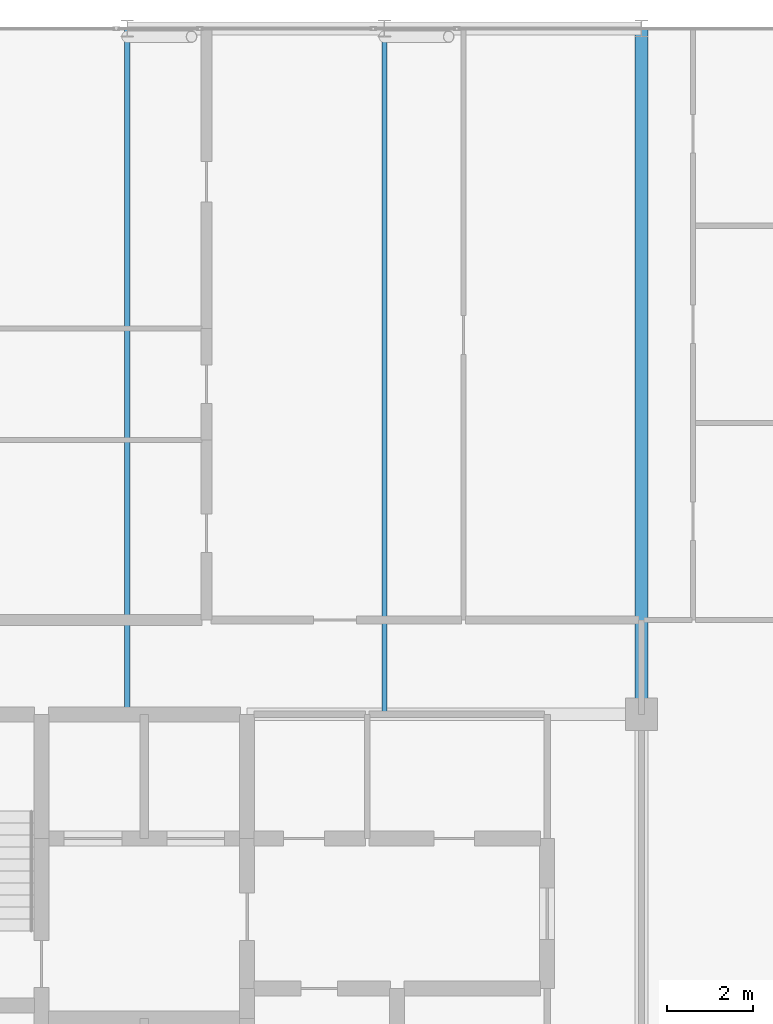
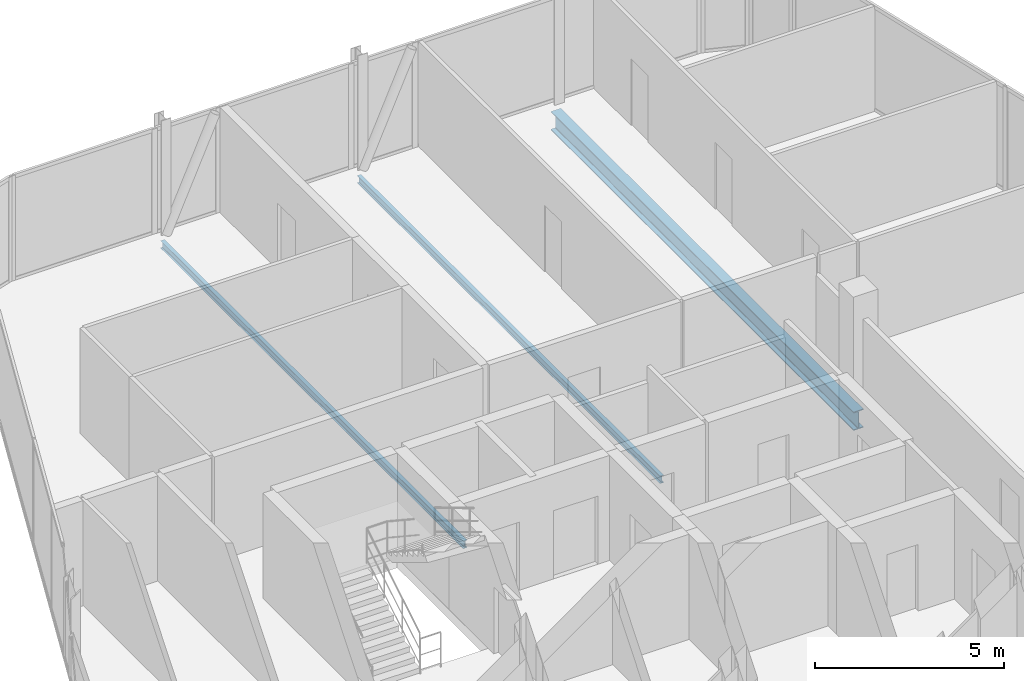
# One storey, part 16 of 27: 3 beams.
"""IFC4 building model written with IfcOpenShell, lengths in metres."""

from ifc_helpers import new_model, si_unit, direction, frame, origin, origin_2d, place, context, subcontext, project, spatial, i_section, extrude, material, material_profile, profile_set, type_object, element, save


model = new_model("IFC4")

# Units and contexts
model_context = context("Model", 3, precision=1e-05, world=origin(), true_north=direction((0.0, 1.0)))
body_context = subcontext(model_context, "Body", "Model", "MODEL_VIEW")
ifc_project = project(units=[si_unit("LENGTHUNIT", "METRE"), si_unit("AREAUNIT", "SQUARE_METRE"), si_unit("VOLUMEUNIT", "CUBIC_METRE"), si_unit("PLANEANGLEUNIT", "RADIAN"), si_unit("MASSUNIT", "GRAM", prefix="KILO")], contexts=[model_context])

# Site, building, storey
site_placement = place(None, origin())
site = spatial("IfcSite", under=ifc_project, at=site_placement, CompositionType="ELEMENT")
building_placement = place(site_placement, origin())
building = spatial("IfcBuilding", under=site, at=building_placement, Name="Keshet Zoharim Tower", CompositionType="ELEMENT")
storey_placement = place(building_placement, frame((0.0, 0.0, 254.699951171875)))
storey = spatial("IfcBuildingStorey", under=building, at=storey_placement, Name="L63", CompositionType="ELEMENT", Elevation=254.699951171875)

# Beams
ifc_material = material(Name="Steel S355", Category="steel")
ifc_material_profile_1 = material_profile(ifc_material, i_section(OverallWidth=0.1201171875, OverallDepth=0.239990234375, WebThickness=0.006103515625, FlangeThickness=0.009765625, FilletRadius=0.014892578125, at=origin_2d()), Name="IPE240")
ifc_profile_set_1 = profile_set([ifc_material_profile_1], Name="Steel S355")
beam_type_1 = type_object("IfcBeamType", Name="BM-JST-IP240", PredefinedType="JOIST", material=ifc_profile_set_1)
for number, where, z_axis, x_axis, name in (
    (1, (21.0, 37.89990234375, -0.429931640625), (0.0, 1.0, 0.0), (-1.0, 0.0, 0.0), "L63 Secondary Floor Joist J-001"),
    (2, (27.0, 37.89990234375, -0.429931640625), (0.0, 1.0, 0.0), (-1.0, 0.0, 0.0), "L63 Secondary Floor Joist J-002"),
):
    element("IfcBeam", number, at=place(storey_placement, frame(where, z_axis=z_axis, x_axis=x_axis)), inside=storey, type_object=beam_type_1, Name=name, PredefinedType="JOIST", context=body_context, shape_type="SweptSolid", body=[
        extrude(i_section(OverallWidth=0.1201171875, OverallDepth=0.239990234375, WebThickness=0.006103515625, FlangeThickness=0.009765625, FilletRadius=0.014892578125, at=origin_2d()), origin(), (0.0, 0.0, 1.0), 16.0),
    ])
ifc_material_profile_2 = material_profile(ifc_material, i_section(OverallWidth=0.300048828125, OverallDepth=0.60009765625, WebThickness=0.015380859375, FlangeThickness=0.030029296875, FilletRadius=0.027099609375, at=origin_2d()), Name="HEB600")
ifc_profile_set_2 = profile_set([ifc_material_profile_2], Name="Steel S355")
beam_type_2 = type_object("IfcBeamType", Name="BM-LNG-HB600", PredefinedType="BEAM", material=ifc_profile_set_2)
beam_placement = place(storey_placement, frame((33.0, 37.89990234375, -0.60986328125), z_axis=(0.0, 1.0, 0.0), x_axis=(-1.0, 0.0, 0.0)))
element("IfcBeam", 3, at=beam_placement, inside=storey, type_object=beam_type_2, Name="L63 Primary Girder Y-009", PredefinedType="BEAM", context=body_context, shape_type="SweptSolid", body=[
    extrude(i_section(OverallWidth=0.300048828125, OverallDepth=0.60009765625, WebThickness=0.015380859375, FlangeThickness=0.030029296875, FilletRadius=0.027099609375, at=origin_2d()), origin(), (0.0, 0.0, 1.0), 16.0),
])

save(model, "model.ifc")
